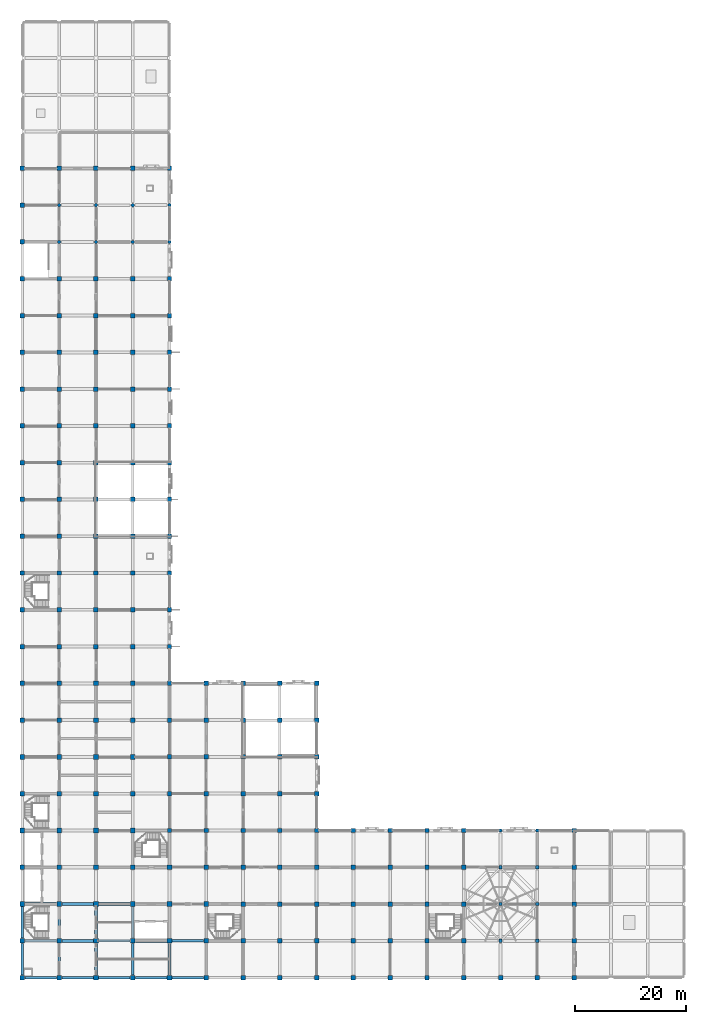
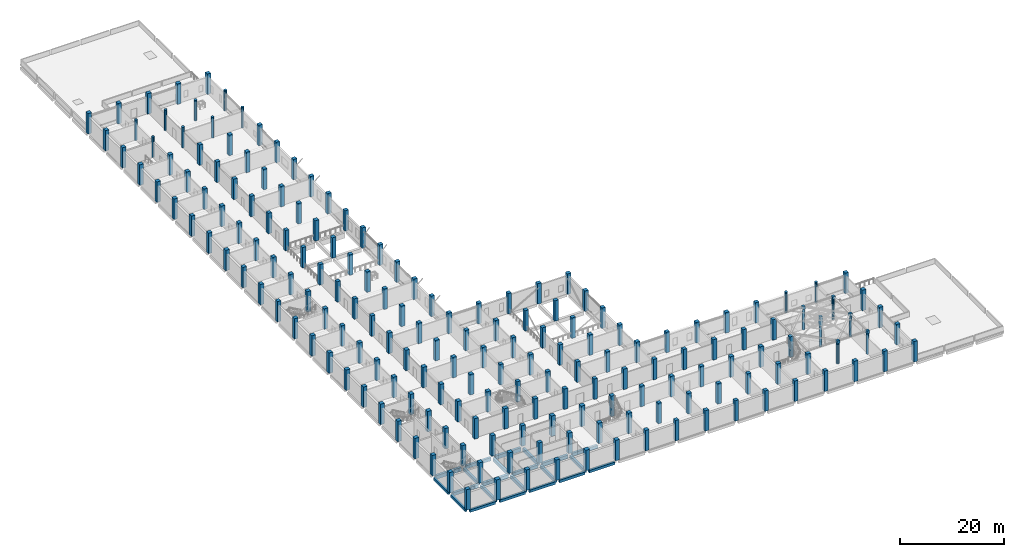
# One storey, part 1 of 34: 192 columns, 22 beams.
"""IFC4 building model written with IfcOpenShell, lengths in metres."""

from ifc_helpers import new_model, si_unit, direction, frame, origin, origin_2d, place, context, subcontext, project, spatial, rectangle, circle, extrude, material, material_profile, profile_set, type_object, element, save


model = new_model("IFC4")

# Units and contexts
model_context = context("Model", 3, precision=1e-05, world=origin(), true_north=direction((0.0, 1.0)))
body_context = subcontext(model_context, "Body", "Model", "MODEL_VIEW")
ifc_project = project(units=[si_unit("LENGTHUNIT", "METRE"), si_unit("AREAUNIT", "SQUARE_METRE"), si_unit("VOLUMEUNIT", "CUBIC_METRE"), si_unit("PLANEANGLEUNIT", "RADIAN"), si_unit("MASSUNIT", "GRAM", prefix="KILO")], contexts=[model_context])

# Site, building, storey
site_placement = place(None, origin())
site = spatial("IfcSite", under=ifc_project, at=site_placement, CompositionType="ELEMENT")
building_placement = place(site_placement, origin())
building = spatial("IfcBuilding", under=site, at=building_placement, Name="Rusizi Kubbe Research Institute", CompositionType="ELEMENT")
storey_placement = place(building_placement, frame((0.0, 0.0, 5.39990234375)))
storey = spatial("IfcBuildingStorey", under=building, at=storey_placement, Name="L01", CompositionType="ELEMENT", Elevation=5.39990234375)

# Columns
ifc_material_1 = material(Name="Concrete C40/50", Category="concrete")
ifc_material_profile_1 = material_profile(ifc_material_1, rectangle(XDim=0.60009765625, YDim=0.60009765625, at=origin_2d()), Name="RC600x600")
ifc_profile_set_1 = profile_set([ifc_material_profile_1], Name="Concrete C40/50")
column_type_1 = type_object("IfcColumnType", Name="COL-600", PredefinedType="COLUMN", material=ifc_profile_set_1)
for number, where, z_axis, x_axis, name in (
    (1, (85.800048828125, 6.60009765625, 4.800048828125), (0.0, 0.0, 1.0), (1.0, 0.0, 0.0), "Kubbe Drum Pedestal Column DOME-EPO-02"),
    (2, (92.39990234375, 6.60009765625, 4.800048828125), (0.0, 0.0, 1.0), (1.0, 0.0, 0.0), "Kubbe Drum Pedestal Column DOME-EPO-03"),
    (3, (92.39990234375, 13.199951171875, 4.800048828125), (0.0, 0.0, 1.0), (1.0, 0.0, 0.0), "Kubbe Drum Pedestal Column DOME-EPO-04"),
    (4, (92.39990234375, 19.800048828125, 4.800048828125), (0.0, 0.0, 1.0), (1.0, 0.0, 0.0), "Kubbe Drum Pedestal Column DOME-EPO-05"),
    (5, (85.800048828125, 19.800048828125, 4.800048828125), (0.0, 0.0, 1.0), (1.0, 0.0, 0.0), "Kubbe Drum Pedestal Column DOME-EPO-06"),
):
    element("IfcColumn", number, at=place(storey_placement, frame(where, z_axis=z_axis, x_axis=x_axis)), inside=storey, type_object=column_type_1, Name=name, PredefinedType="COLUMN", context=body_context, shape_type="SweptSolid", body=[
        extrude(rectangle(XDim=0.60009765625, YDim=0.60009765625, at=origin_2d()), origin(), (0.0, 0.0, 1.0), 0.650146484375),
    ])
column_placement = place(storey_placement, frame((85.800048828125, 13.199951171875, 4.800048828125), z_axis=(0.0, 0.0, 1.0), x_axis=(1.0, 0.0, 0.0)))
element("IfcColumn", 6, at=column_placement, inside=storey, type_object=column_type_1, Name="Kubbe Central King-Post DOME-EPO", PredefinedType="COLUMN", context=body_context, shape_type="SweptSolid", body=[
    extrude(rectangle(XDim=0.60009765625, YDim=0.60009765625, at=origin_2d()), origin(), (0.0, 0.0, 1.0), 2.260009765625),
])
ifc_material_2 = material(Name="Concrete C45/55", Category="concrete")
ifc_material_profile_2 = material_profile(ifc_material_2, rectangle(XDim=0.800048828125, YDim=0.800048828125, at=origin_2d()), Name="RC800x800")
ifc_profile_set_2 = profile_set([ifc_material_profile_2], Name="Concrete C45/55")
column_type_2 = type_object("IfcColumnType", Name="COL-800", PredefinedType="COLUMN", material=ifc_profile_set_2)
for number, where, z_axis, x_axis, name in (
    (7, (0.0, 59.39990234375, 0.0), (0.0, 0.0, 1.0), (1.0, 0.0, 0.0), "Column 1K L01"),
    (8, (0.0, 66.0, 0.0), (0.0, 0.0, 1.0), (1.0, 0.0, 0.0), "Column 1L L01"),
    (9, (0.0, 72.60009765625, 0.0), (0.0, 0.0, 1.0), (1.0, 0.0, 0.0), "Column 1M L01"),
    (10, (0.0, 79.199951171875, 0.0), (0.0, 0.0, 1.0), (1.0, 0.0, 0.0), "Column 1N L01"),
    (11, (0.0, 85.800048828125, 0.0), (0.0, 0.0, 1.0), (1.0, 0.0, 0.0), "Column 1P L01"),
    (12, (0.0, 92.39990234375, 0.0), (0.0, 0.0, 1.0), (1.0, 0.0, 0.0), "Column 1Q L01"),
    (13, (0.0, 99.0, 0.0), (0.0, 0.0, 1.0), (1.0, 0.0, 0.0), "Column 1R L01"),
    (14, (0.0, 105.60009765625, 0.0), (0.0, 0.0, 1.0), (1.0, 0.0, 0.0), "Column 1S L01"),
    (15, (0.0, 112.199951171875, 0.0), (0.0, 0.0, 1.0), (1.0, 0.0, 0.0), "Column 1T L01"),
    (16, (0.0, 118.800048828125, 0.0), (0.0, 0.0, 1.0), (1.0, 0.0, 0.0), "Column 1U L01"),
    (17, (0.0, 125.39990234375, 0.0), (0.0, 0.0, 1.0), (1.0, 0.0, 0.0), "Column 1V L01"),
    (18, (0.0, 132.0, 0.0), (0.0, 0.0, 1.0), (1.0, 0.0, 0.0), "Column 1W L01"),
    (19, (0.0, 138.60009765625, 0.0), (0.0, 0.0, 1.0), (1.0, 0.0, 0.0), "Column 1X L01"),
    (20, (0.0, 145.199951171875, 0.0), (0.0, 0.0, 1.0), (1.0, 0.0, 0.0), "Column 1Y L01"),
    (21, (6.60009765625, 59.39990234375, 0.0), (0.0, 0.0, 1.0), (1.0, 0.0, 0.0), "Column 2K L01"),
    (22, (6.60009765625, 66.0, 0.0), (0.0, 0.0, 1.0), (1.0, 0.0, 0.0), "Column 2L L01"),
    (23, (6.60009765625, 72.60009765625, 0.0), (0.0, 0.0, 1.0), (1.0, 0.0, 0.0), "Column 2M L01"),
    (24, (6.60009765625, 79.199951171875, 0.0), (0.0, 0.0, 1.0), (1.0, 0.0, 0.0), "Column 2N L01"),
    (25, (6.60009765625, 85.800048828125, 0.0), (0.0, 0.0, 1.0), (1.0, 0.0, 0.0), "Column 2P L01"),
    (26, (6.60009765625, 92.39990234375, 0.0), (0.0, 0.0, 1.0), (1.0, 0.0, 0.0), "Column 2Q L01"),
    (27, (6.60009765625, 99.0, 0.0), (0.0, 0.0, 1.0), (1.0, 0.0, 0.0), "Column 2R L01"),
    (28, (6.60009765625, 105.60009765625, 0.0), (0.0, 0.0, 1.0), (1.0, 0.0, 0.0), "Column 2S L01"),
    (29, (6.60009765625, 112.199951171875, 0.0), (0.0, 0.0, 1.0), (1.0, 0.0, 0.0), "Column 2T L01"),
    (30, (6.60009765625, 118.800048828125, 0.0), (0.0, 0.0, 1.0), (1.0, 0.0, 0.0), "Column 2U L01"),
    (31, (6.60009765625, 125.39990234375, 0.0), (0.0, 0.0, 1.0), (1.0, 0.0, 0.0), "Column 2V L01"),
    (32, (6.60009765625, 145.199951171875, 0.0), (0.0, 0.0, 1.0), (1.0, 0.0, 0.0), "Column 2Y L01"),
    (33, (13.199951171875, 59.39990234375, 0.0), (0.0, 0.0, 1.0), (1.0, 0.0, 0.0), "Column 3K L01"),
    (34, (13.199951171875, 66.0, 0.0), (0.0, 0.0, 1.0), (1.0, 0.0, 0.0), "Column 3L L01"),
    (35, (13.199951171875, 72.60009765625, 0.0), (0.0, 0.0, 1.0), (1.0, 0.0, 0.0), "Column 3M L01"),
    (36, (13.199951171875, 79.199951171875, 0.0), (0.0, 0.0, 1.0), (1.0, 0.0, 0.0), "Column 3N L01"),
    (37, (13.199951171875, 85.800048828125, 0.0), (0.0, 0.0, 1.0), (1.0, 0.0, 0.0), "Column 3P L01"),
    (38, (13.199951171875, 92.39990234375, 0.0), (0.0, 0.0, 1.0), (1.0, 0.0, 0.0), "Column 3Q L01"),
    (39, (13.199951171875, 99.0, 0.0), (0.0, 0.0, 1.0), (1.0, 0.0, 0.0), "Column 3R L01"),
    (40, (13.199951171875, 105.60009765625, 0.0), (0.0, 0.0, 1.0), (1.0, 0.0, 0.0), "Column 3S L01"),
    (41, (13.199951171875, 112.199951171875, 0.0), (0.0, 0.0, 1.0), (1.0, 0.0, 0.0), "Column 3T L01"),
    (42, (13.199951171875, 118.800048828125, 0.0), (0.0, 0.0, 1.0), (1.0, 0.0, 0.0), "Column 3U L01"),
    (43, (13.199951171875, 125.39990234375, 0.0), (0.0, 0.0, 1.0), (1.0, 0.0, 0.0), "Column 3V L01"),
    (44, (13.199951171875, 145.199951171875, 0.0), (0.0, 0.0, 1.0), (1.0, 0.0, 0.0), "Column 3Y L01"),
    (45, (19.800048828125, 59.39990234375, 0.0), (0.0, 0.0, 1.0), (1.0, 0.0, 0.0), "Column 4K L01"),
    (46, (19.800048828125, 66.0, 0.0), (0.0, 0.0, 1.0), (1.0, 0.0, 0.0), "Column 4L L01"),
    (47, (19.800048828125, 72.60009765625, 0.0), (0.0, 0.0, 1.0), (1.0, 0.0, 0.0), "Column 4M L01"),
    (48, (19.800048828125, 79.199951171875, 0.0), (0.0, 0.0, 1.0), (1.0, 0.0, 0.0), "Column 4N L01"),
    (49, (19.800048828125, 85.800048828125, 0.0), (0.0, 0.0, 1.0), (1.0, 0.0, 0.0), "Column 4P L01"),
    (50, (19.800048828125, 92.39990234375, 0.0), (0.0, 0.0, 1.0), (1.0, 0.0, 0.0), "Column 4Q L01"),
    (51, (19.800048828125, 99.0, 0.0), (0.0, 0.0, 1.0), (1.0, 0.0, 0.0), "Column 4R L01"),
    (52, (19.800048828125, 105.60009765625, 0.0), (0.0, 0.0, 1.0), (1.0, 0.0, 0.0), "Column 4S L01"),
    (53, (19.800048828125, 112.199951171875, 0.0), (0.0, 0.0, 1.0), (1.0, 0.0, 0.0), "Column 4T L01"),
    (54, (19.800048828125, 118.800048828125, 0.0), (0.0, 0.0, 1.0), (1.0, 0.0, 0.0), "Column 4U L01"),
    (55, (19.800048828125, 125.39990234375, 0.0), (0.0, 0.0, 1.0), (1.0, 0.0, 0.0), "Column 4V L01"),
    (56, (19.800048828125, 145.199951171875, 0.0), (0.0, 0.0, 1.0), (1.0, 0.0, 0.0), "Column 4Y L01"),
    (57, (26.39990234375, 26.39990234375, 0.0), (0.0, 0.0, 1.0), (1.0, 0.0, 0.0), "Column 5E L01"),
    (58, (26.39990234375, 33.0, 0.0), (0.0, 0.0, 1.0), (1.0, 0.0, 0.0), "Column 5F L01"),
    (59, (26.39990234375, 39.60009765625, 0.0), (0.0, 0.0, 1.0), (1.0, 0.0, 0.0), "Column 5G L01"),
    (60, (26.39990234375, 46.199951171875, 0.0), (0.0, 0.0, 1.0), (1.0, 0.0, 0.0), "Column 5H L01"),
    (61, (26.39990234375, 52.800048828125, 0.0), (0.0, 0.0, 1.0), (1.0, 0.0, 0.0), "Column 5J L01"),
    (62, (26.39990234375, 59.39990234375, 0.0), (0.0, 0.0, 1.0), (1.0, 0.0, 0.0), "Column 5K L01"),
    (63, (26.39990234375, 66.0, 0.0), (0.0, 0.0, 1.0), (1.0, 0.0, 0.0), "Column 5L L01"),
    (64, (26.39990234375, 72.60009765625, 0.0), (0.0, 0.0, 1.0), (1.0, 0.0, 0.0), "Column 5M L01"),
    (65, (26.39990234375, 79.199951171875, 0.0), (0.0, 0.0, 1.0), (1.0, 0.0, 0.0), "Column 5N L01"),
    (66, (26.39990234375, 85.800048828125, 0.0), (0.0, 0.0, 1.0), (1.0, 0.0, 0.0), "Column 5P L01"),
    (67, (26.39990234375, 92.39990234375, 0.0), (0.0, 0.0, 1.0), (1.0, 0.0, 0.0), "Column 5Q L01"),
    (68, (26.39990234375, 99.0, 0.0), (0.0, 0.0, 1.0), (1.0, 0.0, 0.0), "Column 5R L01"),
    (69, (26.39990234375, 105.60009765625, 0.0), (0.0, 0.0, 1.0), (1.0, 0.0, 0.0), "Column 5S L01"),
    (70, (26.39990234375, 112.199951171875, 0.0), (0.0, 0.0, 1.0), (1.0, 0.0, 0.0), "Column 5T L01"),
    (71, (26.39990234375, 118.800048828125, 0.0), (0.0, 0.0, 1.0), (1.0, 0.0, 0.0), "Column 5U L01"),
    (72, (26.39990234375, 125.39990234375, 0.0), (0.0, 0.0, 1.0), (1.0, 0.0, 0.0), "Column 5V L01"),
    (73, (26.39990234375, 145.199951171875, 0.0), (0.0, 0.0, 1.0), (1.0, 0.0, 0.0), "Column 5Y L01"),
    (74, (33.0, 26.39990234375, 0.0), (0.0, 0.0, 1.0), (1.0, 0.0, 0.0), "Column 6E L01"),
    (75, (33.0, 33.0, 0.0), (0.0, 0.0, 1.0), (1.0, 0.0, 0.0), "Column 6F L01"),
    (76, (33.0, 39.60009765625, 0.0), (0.0, 0.0, 1.0), (1.0, 0.0, 0.0), "Column 6G L01"),
    (77, (33.0, 46.199951171875, 0.0), (0.0, 0.0, 1.0), (1.0, 0.0, 0.0), "Column 6H L01"),
    (78, (33.0, 52.800048828125, 0.0), (0.0, 0.0, 1.0), (1.0, 0.0, 0.0), "Column 6J L01"),
    (79, (39.60009765625, 0.0, 0.0), (0.0, 0.0, 1.0), (1.0, 0.0, 0.0), "Column 7A L01"),
    (80, (39.60009765625, 6.60009765625, 0.0), (0.0, 0.0, 1.0), (1.0, 0.0, 0.0), "Column 7B L01"),
    (81, (39.60009765625, 13.199951171875, 0.0), (0.0, 0.0, 1.0), (1.0, 0.0, 0.0), "Column 7C L01"),
    (82, (39.60009765625, 19.800048828125, 0.0), (0.0, 0.0, 1.0), (1.0, 0.0, 0.0), "Column 7D L01"),
    (83, (39.60009765625, 26.39990234375, 0.0), (0.0, 0.0, 1.0), (1.0, 0.0, 0.0), "Column 7E L01"),
    (84, (39.60009765625, 33.0, 0.0), (0.0, 0.0, 1.0), (1.0, 0.0, 0.0), "Column 7F L01"),
    (85, (39.60009765625, 39.60009765625, 0.0), (0.0, 0.0, 1.0), (1.0, 0.0, 0.0), "Column 7G L01"),
    (86, (39.60009765625, 46.199951171875, 0.0), (0.0, 0.0, 1.0), (1.0, 0.0, 0.0), "Column 7H L01"),
    (87, (39.60009765625, 52.800048828125, 0.0), (0.0, 0.0, 1.0), (1.0, 0.0, 0.0), "Column 7J L01"),
    (88, (46.199951171875, 0.0, 0.0), (0.0, 0.0, 1.0), (1.0, 0.0, 0.0), "Column 8A L01"),
    (89, (46.199951171875, 6.60009765625, 0.0), (0.0, 0.0, 1.0), (1.0, 0.0, 0.0), "Column 8B L01"),
    (90, (46.199951171875, 13.199951171875, 0.0), (0.0, 0.0, 1.0), (1.0, 0.0, 0.0), "Column 8C L01"),
    (91, (46.199951171875, 19.800048828125, 0.0), (0.0, 0.0, 1.0), (1.0, 0.0, 0.0), "Column 8D L01"),
    (92, (46.199951171875, 26.39990234375, 0.0), (0.0, 0.0, 1.0), (1.0, 0.0, 0.0), "Column 8E L01"),
    (93, (46.199951171875, 33.0, 0.0), (0.0, 0.0, 1.0), (1.0, 0.0, 0.0), "Column 8F L01"),
    (94, (46.199951171875, 39.60009765625, 0.0), (0.0, 0.0, 1.0), (1.0, 0.0, 0.0), "Column 8G L01"),
    (95, (46.199951171875, 46.199951171875, 0.0), (0.0, 0.0, 1.0), (1.0, 0.0, 0.0), "Column 8H L01"),
    (96, (46.199951171875, 52.800048828125, 0.0), (0.0, 0.0, 1.0), (1.0, 0.0, 0.0), "Column 8J L01"),
    (97, (52.800048828125, 0.0, 0.0), (0.0, 0.0, 1.0), (1.0, 0.0, 0.0), "Column 9A L01"),
    (98, (52.800048828125, 6.60009765625, 0.0), (0.0, 0.0, 1.0), (1.0, 0.0, 0.0), "Column 9B L01"),
    (99, (52.800048828125, 13.199951171875, 0.0), (0.0, 0.0, 1.0), (1.0, 0.0, 0.0), "Column 9C L01"),
    (100, (52.800048828125, 19.800048828125, 0.0), (0.0, 0.0, 1.0), (1.0, 0.0, 0.0), "Column 9D L01"),
    (101, (52.800048828125, 26.39990234375, 0.0), (0.0, 0.0, 1.0), (1.0, 0.0, 0.0), "Column 9E L01"),
    (102, (52.800048828125, 33.0, 0.0), (0.0, 0.0, 1.0), (1.0, 0.0, 0.0), "Column 9F L01"),
    (103, (52.800048828125, 39.60009765625, 0.0), (0.0, 0.0, 1.0), (1.0, 0.0, 0.0), "Column 9G L01"),
    (104, (52.800048828125, 46.199951171875, 0.0), (0.0, 0.0, 1.0), (1.0, 0.0, 0.0), "Column 9H L01"),
    (105, (52.800048828125, 52.800048828125, 0.0), (0.0, 0.0, 1.0), (1.0, 0.0, 0.0), "Column 9J L01"),
    (106, (59.39990234375, 0.0, 0.0), (0.0, 0.0, 1.0), (1.0, 0.0, 0.0), "Column 10A L01"),
    (107, (59.39990234375, 6.60009765625, 0.0), (0.0, 0.0, 1.0), (1.0, 0.0, 0.0), "Column 10B L01"),
    (108, (59.39990234375, 13.199951171875, 0.0), (0.0, 0.0, 1.0), (1.0, 0.0, 0.0), "Column 10C L01"),
    (109, (59.39990234375, 19.800048828125, 0.0), (0.0, 0.0, 1.0), (1.0, 0.0, 0.0), "Column 10D L01"),
    (110, (59.39990234375, 26.39990234375, 0.0), (0.0, 0.0, 1.0), (1.0, 0.0, 0.0), "Column 10E L01"),
    (111, (66.0, 0.0, 0.0), (0.0, 0.0, 1.0), (1.0, 0.0, 0.0), "Column 11A L01"),
    (112, (66.0, 6.60009765625, 0.0), (0.0, 0.0, 1.0), (1.0, 0.0, 0.0), "Column 11B L01"),
    (113, (66.0, 13.199951171875, 0.0), (0.0, 0.0, 1.0), (1.0, 0.0, 0.0), "Column 11C L01"),
    (114, (66.0, 19.800048828125, 0.0), (0.0, 0.0, 1.0), (1.0, 0.0, 0.0), "Column 11D L01"),
    (115, (66.0, 26.39990234375, 0.0), (0.0, 0.0, 1.0), (1.0, 0.0, 0.0), "Column 11E L01"),
    (116, (72.60009765625, 0.0, 0.0), (0.0, 0.0, 1.0), (1.0, 0.0, 0.0), "Column 12A L01"),
    (117, (72.60009765625, 6.60009765625, 0.0), (0.0, 0.0, 1.0), (1.0, 0.0, 0.0), "Column 12B L01"),
    (118, (72.60009765625, 13.199951171875, 0.0), (0.0, 0.0, 1.0), (1.0, 0.0, 0.0), "Column 12C L01"),
    (119, (72.60009765625, 19.800048828125, 0.0), (0.0, 0.0, 1.0), (1.0, 0.0, 0.0), "Column 12D L01"),
    (120, (72.60009765625, 26.39990234375, 0.0), (0.0, 0.0, 1.0), (1.0, 0.0, 0.0), "Column 12E L01"),
    (121, (79.199951171875, 0.0, 0.0), (0.0, 0.0, 1.0), (1.0, 0.0, 0.0), "Column 13A L01"),
    (122, (79.199951171875, 6.60009765625, 0.0), (0.0, 0.0, 1.0), (1.0, 0.0, 0.0), "Column 13B L01"),
    (123, (79.199951171875, 13.199951171875, 0.0), (0.0, 0.0, 1.0), (1.0, 0.0, 0.0), "Column 13C L01"),
    (124, (79.199951171875, 19.800048828125, 0.0), (0.0, 0.0, 1.0), (1.0, 0.0, 0.0), "Column 13D L01"),
    (125, (79.199951171875, 26.39990234375, 0.0), (0.0, 0.0, 1.0), (1.0, 0.0, 0.0), "Column 13E L01"),
    (126, (85.800048828125, 0.0, 0.0), (0.0, 0.0, 1.0), (1.0, 0.0, 0.0), "Column 14A L01"),
    (127, (92.39990234375, 0.0, 0.0), (0.0, 0.0, 1.0), (1.0, 0.0, 0.0), "Column 15A L01"),
    (128, (99.0, 0.0, 0.0), (0.0, 0.0, 1.0), (1.0, 0.0, 0.0), "Column 16A L01"),
    (129, (99.0, 6.60009765625, 0.0), (0.0, 0.0, 1.0), (1.0, 0.0, 0.0), "Column 16B L01"),
    (130, (99.0, 13.199951171875, 0.0), (0.0, 0.0, 1.0), (1.0, 0.0, 0.0), "Column 16C L01"),
    (131, (99.0, 19.800048828125, 0.0), (0.0, 0.0, 1.0), (1.0, 0.0, 0.0), "Column 16D L01"),
    (132, (99.0, 26.39990234375, 0.0), (0.0, 0.0, 1.0), (1.0, 0.0, 0.0), "Column 16E L01"),
):
    element("IfcColumn", number, at=place(storey_placement, frame(where, z_axis=z_axis, x_axis=x_axis)), inside=storey, type_object=column_type_2, Name=name, PredefinedType="COLUMN", context=body_context, shape_type="SweptSolid", body=[
        extrude(rectangle(XDim=0.800048828125, YDim=0.800048828125, at=origin_2d()), origin(), (0.0, 0.0, 1.0), 4.800048828125),
    ])
ifc_material_3 = material(Name="Concrete C45/55", Category="concrete")
ifc_material_profile_3 = material_profile(ifc_material_3, rectangle(XDim=0.85009765625, YDim=0.85009765625, at=origin_2d()), Name="RC850x850")
ifc_profile_set_3 = profile_set([ifc_material_profile_3], Name="Concrete C45/55")
column_type_3 = type_object("IfcColumnType", Name="COL-850", PredefinedType="COLUMN", material=ifc_profile_set_3)
for number, where, z_axis, x_axis, name in (
    (133, (0.0, 0.0, 0.0), (0.0, 0.0, 1.0), (1.0, 0.0, 0.0), "Column 1A L01"),
    (134, (0.0, 6.60009765625, 0.0), (0.0, 0.0, 1.0), (1.0, 0.0, 0.0), "Column 1B L01"),
    (135, (0.0, 13.199951171875, 0.0), (0.0, 0.0, 1.0), (1.0, 0.0, 0.0), "Column 1C L01"),
    (136, (0.0, 19.800048828125, 0.0), (0.0, 0.0, 1.0), (1.0, 0.0, 0.0), "Column 1D L01"),
    (137, (0.0, 26.39990234375, 0.0), (0.0, 0.0, 1.0), (1.0, 0.0, 0.0), "Column 1E L01"),
    (138, (0.0, 33.0, 0.0), (0.0, 0.0, 1.0), (1.0, 0.0, 0.0), "Column 1F L01"),
    (139, (0.0, 39.60009765625, 0.0), (0.0, 0.0, 1.0), (1.0, 0.0, 0.0), "Column 1G L01"),
    (140, (0.0, 46.199951171875, 0.0), (0.0, 0.0, 1.0), (1.0, 0.0, 0.0), "Column 1H L01"),
    (141, (0.0, 52.800048828125, 0.0), (0.0, 0.0, 1.0), (1.0, 0.0, 0.0), "Column 1J L01"),
    (142, (6.60009765625, 0.0, 0.0), (0.0, 0.0, 1.0), (1.0, 0.0, 0.0), "Column 2A L01"),
    (143, (6.60009765625, 6.60009765625, 0.0), (0.0, 0.0, 1.0), (1.0, 0.0, 0.0), "Column 2B L01"),
    (144, (6.60009765625, 13.199951171875, 0.0), (0.0, 0.0, 1.0), (1.0, 0.0, 0.0), "Column 2C L01"),
    (145, (6.60009765625, 19.800048828125, 0.0), (0.0, 0.0, 1.0), (1.0, 0.0, 0.0), "Column 2D L01"),
    (146, (6.60009765625, 26.39990234375, 0.0), (0.0, 0.0, 1.0), (1.0, 0.0, 0.0), "Column 2E L01"),
    (147, (6.60009765625, 33.0, 0.0), (0.0, 0.0, 1.0), (1.0, 0.0, 0.0), "Column 2F L01"),
    (148, (6.60009765625, 39.60009765625, 0.0), (0.0, 0.0, 1.0), (1.0, 0.0, 0.0), "Column 2G L01"),
    (149, (6.60009765625, 46.199951171875, 0.0), (0.0, 0.0, 1.0), (1.0, 0.0, 0.0), "Column 2H L01"),
    (150, (6.60009765625, 52.800048828125, 0.0), (0.0, 0.0, 1.0), (1.0, 0.0, 0.0), "Column 2J L01"),
    (151, (13.199951171875, 0.0, 0.0), (0.0, 0.0, 1.0), (1.0, 0.0, 0.0), "Column 3A L01"),
    (152, (13.199951171875, 6.60009765625, 0.0), (0.0, 0.0, 1.0), (1.0, 0.0, 0.0), "Column 3B L01"),
    (153, (13.199951171875, 13.199951171875, 0.0), (0.0, 0.0, 1.0), (1.0, 0.0, 0.0), "Column 3C L01"),
    (154, (13.199951171875, 19.800048828125, 0.0), (0.0, 0.0, 1.0), (1.0, 0.0, 0.0), "Column 3D L01"),
    (155, (13.199951171875, 26.39990234375, 0.0), (0.0, 0.0, 1.0), (1.0, 0.0, 0.0), "Column 3E L01"),
    (156, (13.199951171875, 33.0, 0.0), (0.0, 0.0, 1.0), (1.0, 0.0, 0.0), "Column 3F L01"),
    (157, (13.199951171875, 39.60009765625, 0.0), (0.0, 0.0, 1.0), (1.0, 0.0, 0.0), "Column 3G L01"),
    (158, (13.199951171875, 46.199951171875, 0.0), (0.0, 0.0, 1.0), (1.0, 0.0, 0.0), "Column 3H L01"),
    (159, (13.199951171875, 52.800048828125, 0.0), (0.0, 0.0, 1.0), (1.0, 0.0, 0.0), "Column 3J L01"),
    (160, (19.800048828125, 0.0, 0.0), (0.0, 0.0, 1.0), (1.0, 0.0, 0.0), "Column 4A L01"),
    (161, (19.800048828125, 6.60009765625, 0.0), (0.0, 0.0, 1.0), (1.0, 0.0, 0.0), "Column 4B L01"),
    (162, (19.800048828125, 13.199951171875, 0.0), (0.0, 0.0, 1.0), (1.0, 0.0, 0.0), "Column 4C L01"),
    (163, (19.800048828125, 19.800048828125, 0.0), (0.0, 0.0, 1.0), (1.0, 0.0, 0.0), "Column 4D L01"),
    (164, (19.800048828125, 26.39990234375, 0.0), (0.0, 0.0, 1.0), (1.0, 0.0, 0.0), "Column 4E L01"),
    (165, (19.800048828125, 33.0, 0.0), (0.0, 0.0, 1.0), (1.0, 0.0, 0.0), "Column 4F L01"),
    (166, (19.800048828125, 39.60009765625, 0.0), (0.0, 0.0, 1.0), (1.0, 0.0, 0.0), "Column 4G L01"),
    (167, (19.800048828125, 46.199951171875, 0.0), (0.0, 0.0, 1.0), (1.0, 0.0, 0.0), "Column 4H L01"),
    (168, (19.800048828125, 52.800048828125, 0.0), (0.0, 0.0, 1.0), (1.0, 0.0, 0.0), "Column 4J L01"),
    (169, (26.39990234375, 0.0, 0.0), (0.0, 0.0, 1.0), (1.0, 0.0, 0.0), "Column 5A L01"),
    (170, (26.39990234375, 6.60009765625, 0.0), (0.0, 0.0, 1.0), (1.0, 0.0, 0.0), "Column 5B L01"),
    (171, (26.39990234375, 13.199951171875, 0.0), (0.0, 0.0, 1.0), (1.0, 0.0, 0.0), "Column 5C L01"),
    (172, (26.39990234375, 19.800048828125, 0.0), (0.0, 0.0, 1.0), (1.0, 0.0, 0.0), "Column 5D L01"),
    (173, (33.0, 0.0, 0.0), (0.0, 0.0, 1.0), (1.0, 0.0, 0.0), "Column 6A L01"),
    (174, (33.0, 6.60009765625, 0.0), (0.0, 0.0, 1.0), (1.0, 0.0, 0.0), "Column 6B L01"),
    (175, (33.0, 13.199951171875, 0.0), (0.0, 0.0, 1.0), (1.0, 0.0, 0.0), "Column 6C L01"),
    (176, (33.0, 19.800048828125, 0.0), (0.0, 0.0, 1.0), (1.0, 0.0, 0.0), "Column 6D L01"),
):
    element("IfcColumn", number, at=place(storey_placement, frame(where, z_axis=z_axis, x_axis=x_axis)), inside=storey, type_object=column_type_3, Name=name, PredefinedType="COLUMN", context=body_context, shape_type="SweptSolid", body=[
        extrude(rectangle(XDim=0.85009765625, YDim=0.85009765625, at=origin_2d()), origin(), (0.0, 0.0, 1.0), 4.800048828125),
    ])
ifc_material_4 = material(Name="Concrete C45/55", Category="concrete")
ifc_material_profile_4 = material_profile(ifc_material_4, circle(Radius=0.300048828125, at=origin_2d()), Name="RCD600")
ifc_profile_set_4 = profile_set([ifc_material_profile_4], Name="Concrete C45/55")
column_type_4 = type_object("IfcColumnType", Name="COL-RCD600", PredefinedType="COLUMN", material=ifc_profile_set_4)
for number, where, z_axis, x_axis, name in (
    (177, (6.60009765625, 132.0, 0.0), (0.0, 0.0, 1.0), (1.0, 0.0, 0.0), "Column 2W L01"),
    (178, (6.60009765625, 138.60009765625, 0.0), (0.0, 0.0, 1.0), (1.0, 0.0, 0.0), "Column 2X L01"),
    (179, (13.199951171875, 132.0, 0.0), (0.0, 0.0, 1.0), (1.0, 0.0, 0.0), "Column 3W L01"),
    (180, (13.199951171875, 138.60009765625, 0.0), (0.0, 0.0, 1.0), (1.0, 0.0, 0.0), "Column 3X L01"),
    (181, (19.800048828125, 132.0, 0.0), (0.0, 0.0, 1.0), (1.0, 0.0, 0.0), "Column 4W L01"),
    (182, (19.800048828125, 138.60009765625, 0.0), (0.0, 0.0, 1.0), (1.0, 0.0, 0.0), "Column 4X L01"),
    (183, (26.39990234375, 132.0, 0.0), (0.0, 0.0, 1.0), (1.0, 0.0, 0.0), "Column 5W L01"),
    (184, (26.39990234375, 138.60009765625, 0.0), (0.0, 0.0, 1.0), (1.0, 0.0, 0.0), "Column 5X L01"),
    (185, (85.800048828125, 6.60009765625, 0.0), (0.0, 0.0, 1.0), (1.0, 0.0, 0.0), "Column 14B L01"),
    (186, (85.800048828125, 13.199951171875, 0.0), (0.0, 0.0, 1.0), (1.0, 0.0, 0.0), "Column 14C L01"),
    (187, (85.800048828125, 19.800048828125, 0.0), (0.0, 0.0, 1.0), (1.0, 0.0, 0.0), "Column 14D L01"),
    (188, (85.800048828125, 26.39990234375, 0.0), (0.0, 0.0, 1.0), (1.0, 0.0, 0.0), "Column 14E L01"),
    (189, (92.39990234375, 6.60009765625, 0.0), (0.0, 0.0, 1.0), (1.0, 0.0, 0.0), "Column 15B L01"),
    (190, (92.39990234375, 13.199951171875, 0.0), (0.0, 0.0, 1.0), (1.0, 0.0, 0.0), "Column 15C L01"),
    (191, (92.39990234375, 19.800048828125, 0.0), (0.0, 0.0, 1.0), (1.0, 0.0, 0.0), "Column 15D L01"),
    (192, (92.39990234375, 26.39990234375, 0.0), (0.0, 0.0, 1.0), (1.0, 0.0, 0.0), "Column 15E L01"),
):
    element("IfcColumn", number, at=place(storey_placement, frame(where, z_axis=z_axis, x_axis=x_axis)), inside=storey, type_object=column_type_4, Name=name, PredefinedType="COLUMN", context=body_context, shape_type="SweptSolid", body=[
        extrude(circle(Radius=0.300048828125, at=origin_2d()), origin(), (0.0, 0.0, 1.0), 4.800048828125),
    ])

# Beams
ifc_material_5 = material(Name="Concrete C40/50", Category="concrete")
ifc_material_profile_5 = material_profile(ifc_material_5, rectangle(XDim=0.449951171875, YDim=0.60009765625, at=origin_2d()), Name="RC450x600")
ifc_profile_set_5 = profile_set([ifc_material_profile_5], Name="Concrete C40/50")
beam_type_1 = type_object("IfcBeamType", Name="BM-RC450x600", PredefinedType="SPANDREL", material=ifc_profile_set_5)
beam_1_placement = place(storey_placement, frame((0.47509765625, 0.0, -0.64990234375), z_axis=(1.0, 0.0, 0.0), x_axis=(0.0, 1.0, 0.0)))
element("IfcBeam", 193, at=beam_1_placement, inside=storey, type_object=beam_type_1, Name="Grid Beam H L01 (0,0)", PredefinedType="SPANDREL", context=body_context, shape_type="SweptSolid", body=[
    extrude(rectangle(XDim=0.449951171875, YDim=0.60009765625, at=origin_2d()), origin(), (0.0, 0.0, 1.0), 5.64990234375),
])
beam_2_placement = place(storey_placement, frame((7.074951171875, 0.0, -0.64990234375), z_axis=(1.0, 0.0, 0.0), x_axis=(0.0, 1.0, 0.0)))
element("IfcBeam", 194, at=beam_2_placement, inside=storey, type_object=beam_type_1, Name="Grid Beam H L01 (1,0)", PredefinedType="SPANDREL", context=body_context, shape_type="SweptSolid", body=[
    extrude(rectangle(XDim=0.449951171875, YDim=0.60009765625, at=origin_2d()), origin(), (0.0, 0.0, 1.0), 5.650146484375),
])
beam_3_placement = place(storey_placement, frame((13.675048828125, 0.0, -0.64990234375), z_axis=(1.0, 0.0, 0.0), x_axis=(0.0, 1.0, 0.0)))
element("IfcBeam", 195, at=beam_3_placement, inside=storey, type_object=beam_type_1, Name="Grid Beam H L01 (2,0)", PredefinedType="SPANDREL", context=body_context, shape_type="SweptSolid", body=[
    extrude(rectangle(XDim=0.449951171875, YDim=0.60009765625, at=origin_2d()), origin(), (0.0, 0.0, 1.0), 5.64990234375),
])
beam_4_placement = place(storey_placement, frame((20.27490234375, 0.0, -0.64990234375), z_axis=(1.0, 0.0, 0.0), x_axis=(0.0, 1.0, 0.0)))
element("IfcBeam", 196, at=beam_4_placement, inside=storey, type_object=beam_type_1, Name="Grid Beam H L01 (3,0)", PredefinedType="SPANDREL", context=body_context, shape_type="SweptSolid", body=[
    extrude(rectangle(XDim=0.449951171875, YDim=0.60009765625, at=origin_2d()), origin(), (0.0, 0.0, 1.0), 5.650146484375),
])
for number, where, z_axis, x_axis, name in (
    (197, (26.875, 0.0, -0.64990234375), (1.0, 0.0, 0.0), (0.0, 1.0, 0.0), "Grid Beam H L01 (4,0)"),
    (198, (0.0, 0.47509765625, -0.64990234375), (0.0, 1.0, 0.0), (-1.0, 0.0, 0.0), "Grid Beam V L01 (0,0)"),
):
    element("IfcBeam", number, at=place(storey_placement, frame(where, z_axis=z_axis, x_axis=x_axis)), inside=storey, type_object=beam_type_1, Name=name, PredefinedType="SPANDREL", context=body_context, shape_type="SweptSolid", body=[
        extrude(rectangle(XDim=0.449951171875, YDim=0.60009765625, at=origin_2d()), origin(), (0.0, 0.0, 1.0), 5.64990234375),
    ])
beam_5_placement = place(storey_placement, frame((0.0, 7.074951171875, -0.64990234375), z_axis=(0.0, 1.0, 0.0), x_axis=(-1.0, 0.0, 0.0)))
element("IfcBeam", 199, at=beam_5_placement, inside=storey, type_object=beam_type_1, Name="Grid Beam V L01 (0,1)", PredefinedType="SPANDREL", context=body_context, shape_type="SweptSolid", body=[
    extrude(rectangle(XDim=0.449951171875, YDim=0.60009765625, at=origin_2d()), origin(), (0.0, 0.0, 1.0), 5.650146484375),
])
ifc_material_6 = material(Name="Concrete C45/55", Category="concrete")
ifc_material_profile_6 = material_profile(ifc_material_6, rectangle(XDim=0.5, YDim=0.75, at=origin_2d()), Name="RC500x750B")
ifc_profile_set_6 = profile_set([ifc_material_profile_6], Name="Concrete C45/55")
beam_type_2 = type_object("IfcBeamType", Name="BM-RC500x750", PredefinedType="BEAM", material=ifc_profile_set_6)
beam_6_placement = place(storey_placement, frame((0.47509765625, 6.60009765625, -0.724853515625), z_axis=(1.0, 0.0, 0.0), x_axis=(0.0, 1.0, 0.0)))
element("IfcBeam", 200, at=beam_6_placement, inside=storey, type_object=beam_type_2, Name="Grid Beam H L01 (0,1)", PredefinedType="BEAM", context=body_context, shape_type="SweptSolid", body=[
    extrude(rectangle(XDim=0.5, YDim=0.75, at=origin_2d()), origin(), (0.0, 0.0, 1.0), 5.64990234375),
])
beam_7_placement = place(storey_placement, frame((7.074951171875, 13.199951171875, -0.724853515625), z_axis=(1.0, 0.0, 0.0), x_axis=(0.0, 1.0, 0.0)))
element("IfcBeam", 201, at=beam_7_placement, inside=storey, type_object=beam_type_2, Name="Grid Beam H L01 (1,2)", PredefinedType="BEAM", context=body_context, shape_type="SweptSolid", body=[
    extrude(rectangle(XDim=0.5, YDim=0.75, at=origin_2d()), origin(), (0.0, 0.0, 1.0), 5.650146484375),
])
for number, where, z_axis, x_axis, name in (
    (202, (13.675048828125, 6.60009765625, -0.724853515625), (1.0, 0.0, 0.0), (0.0, 1.0, 0.0), "Grid Beam H L01 (2,1)"),
    (203, (26.875, 6.60009765625, -0.724853515625), (1.0, 0.0, 0.0), (0.0, 1.0, 0.0), "Grid Beam H L01 (4,1)"),
    (204, (6.60009765625, 0.47509765625, -0.724853515625), (0.0, 1.0, 0.0), (-1.0, 0.0, 0.0), "Grid Beam V L01 (1,0)"),
):
    element("IfcBeam", number, at=place(storey_placement, frame(where, z_axis=z_axis, x_axis=x_axis)), inside=storey, type_object=beam_type_2, Name=name, PredefinedType="BEAM", context=body_context, shape_type="SweptSolid", body=[
        extrude(rectangle(XDim=0.5, YDim=0.75, at=origin_2d()), origin(), (0.0, 0.0, 1.0), 5.64990234375),
    ])
beam_8_placement = place(storey_placement, frame((6.60009765625, 7.074951171875, -0.724853515625), z_axis=(0.0, 1.0, 0.0), x_axis=(-1.0, 0.0, 0.0)))
element("IfcBeam", 205, at=beam_8_placement, inside=storey, type_object=beam_type_2, Name="Grid Beam V L01 (1,1)", PredefinedType="BEAM", context=body_context, shape_type="SweptSolid", body=[
    extrude(rectangle(XDim=0.5, YDim=0.75, at=origin_2d()), origin(), (0.0, 0.0, 1.0), 5.650146484375),
])
beam_9_placement = place(storey_placement, frame((13.199951171875, 0.47509765625, -0.724853515625), z_axis=(0.0, 1.0, 0.0), x_axis=(-1.0, 0.0, 0.0)))
element("IfcBeam", 206, at=beam_9_placement, inside=storey, type_object=beam_type_2, Name="Grid Beam V L01 (2,0)", PredefinedType="BEAM", context=body_context, shape_type="SweptSolid", body=[
    extrude(rectangle(XDim=0.5, YDim=0.75, at=origin_2d()), origin(), (0.0, 0.0, 1.0), 5.64990234375),
])
beam_10_placement = place(storey_placement, frame((13.199951171875, 7.074951171875, -0.724853515625), z_axis=(0.0, 1.0, 0.0), x_axis=(-1.0, 0.0, 0.0)))
element("IfcBeam", 207, at=beam_10_placement, inside=storey, type_object=beam_type_2, Name="Grid Beam V L01 (2,1)", PredefinedType="BEAM", context=body_context, shape_type="SweptSolid", body=[
    extrude(rectangle(XDim=0.5, YDim=0.75, at=origin_2d()), origin(), (0.0, 0.0, 1.0), 5.650146484375),
])
beam_11_placement = place(storey_placement, frame((19.800048828125, 0.47509765625, -0.724853515625), z_axis=(0.0, 1.0, 0.0), x_axis=(-1.0, 0.0, 0.0)))
element("IfcBeam", 208, at=beam_11_placement, inside=storey, type_object=beam_type_2, Name="Grid Beam V L01 (3,0)", PredefinedType="BEAM", context=body_context, shape_type="SweptSolid", body=[
    extrude(rectangle(XDim=0.5, YDim=0.75, at=origin_2d()), origin(), (0.0, 0.0, 1.0), 5.64990234375),
])
beam_12_placement = place(storey_placement, frame((19.800048828125, 7.074951171875, -0.724853515625), z_axis=(0.0, 1.0, 0.0), x_axis=(-1.0, 0.0, 0.0)))
element("IfcBeam", 209, at=beam_12_placement, inside=storey, type_object=beam_type_2, Name="Grid Beam V L01 (3,1)", PredefinedType="BEAM", context=body_context, shape_type="SweptSolid", body=[
    extrude(rectangle(XDim=0.5, YDim=0.75, at=origin_2d()), origin(), (0.0, 0.0, 1.0), 5.650146484375),
])
beam_13_placement = place(storey_placement, frame((26.39990234375, 0.47509765625, -0.724853515625), z_axis=(0.0, 1.0, 0.0), x_axis=(-1.0, 0.0, 0.0)))
element("IfcBeam", 210, at=beam_13_placement, inside=storey, type_object=beam_type_2, Name="Grid Beam V L01 (4,0)", PredefinedType="BEAM", context=body_context, shape_type="SweptSolid", body=[
    extrude(rectangle(XDim=0.5, YDim=0.75, at=origin_2d()), origin(), (0.0, 0.0, 1.0), 5.64990234375),
])
ifc_material_7 = material(Name="Concrete C45/55", Category="concrete")
ifc_material_profile_7 = material_profile(ifc_material_7, rectangle(XDim=0.550048828125, YDim=0.85009765625, at=origin_2d()), Name="RC550x850")
ifc_profile_set_7 = profile_set([ifc_material_profile_7], Name="Concrete C45/55")
beam_type_3 = type_object("IfcBeamType", Name="BM-RC550x850", PredefinedType="BEAM", material=ifc_profile_set_7)
beam_14_placement = place(storey_placement, frame((0.47509765625, 13.199951171875, -0.77490234375), z_axis=(1.0, 0.0, 0.0), x_axis=(0.0, 1.0, 0.0)))
element("IfcBeam", 211, at=beam_14_placement, inside=storey, type_object=beam_type_3, Name="Grid Beam H L01 (0,2)", PredefinedType="BEAM", context=body_context, shape_type="SweptSolid", body=[
    extrude(rectangle(XDim=0.550048828125, YDim=0.85009765625, at=origin_2d()), origin(), (0.0, 0.0, 1.0), 5.64990234375),
])
beam_15_placement = place(storey_placement, frame((7.074951171875, 6.60009765625, -0.77490234375), z_axis=(1.0, 0.0, 0.0), x_axis=(0.0, 1.0, 0.0)))
element("IfcBeam", 212, at=beam_15_placement, inside=storey, type_object=beam_type_3, Name="Grid Beam H L01 (1,1)", PredefinedType="BEAM", context=body_context, shape_type="SweptSolid", body=[
    extrude(rectangle(XDim=0.550048828125, YDim=0.85009765625, at=origin_2d()), origin(), (0.0, 0.0, 1.0), 5.650146484375),
])
beam_16_placement = place(storey_placement, frame((13.675048828125, 13.199951171875, -0.77490234375), z_axis=(1.0, 0.0, 0.0), x_axis=(0.0, 1.0, 0.0)))
element("IfcBeam", 213, at=beam_16_placement, inside=storey, type_object=beam_type_3, Name="Grid Beam H L01 (2,2)", PredefinedType="BEAM", context=body_context, shape_type="SweptSolid", body=[
    extrude(rectangle(XDim=0.550048828125, YDim=0.85009765625, at=origin_2d()), origin(), (0.0, 0.0, 1.0), 5.64990234375),
])
beam_17_placement = place(storey_placement, frame((20.27490234375, 6.60009765625, -0.77490234375), z_axis=(1.0, 0.0, 0.0), x_axis=(0.0, 1.0, 0.0)))
element("IfcBeam", 214, at=beam_17_placement, inside=storey, type_object=beam_type_3, Name="Grid Beam H L01 (3,1)", PredefinedType="BEAM", context=body_context, shape_type="SweptSolid", body=[
    extrude(rectangle(XDim=0.550048828125, YDim=0.85009765625, at=origin_2d()), origin(), (0.0, 0.0, 1.0), 5.650146484375),
])

save(model, "model.ifc")
